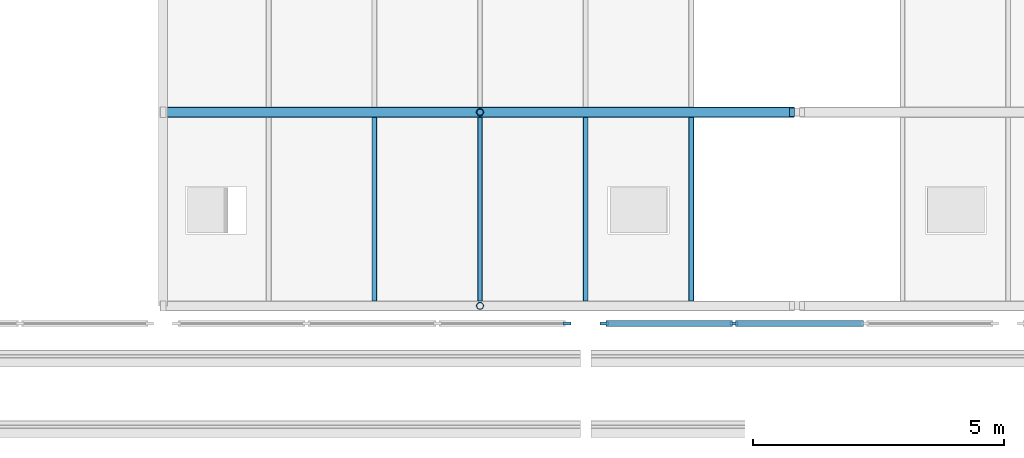
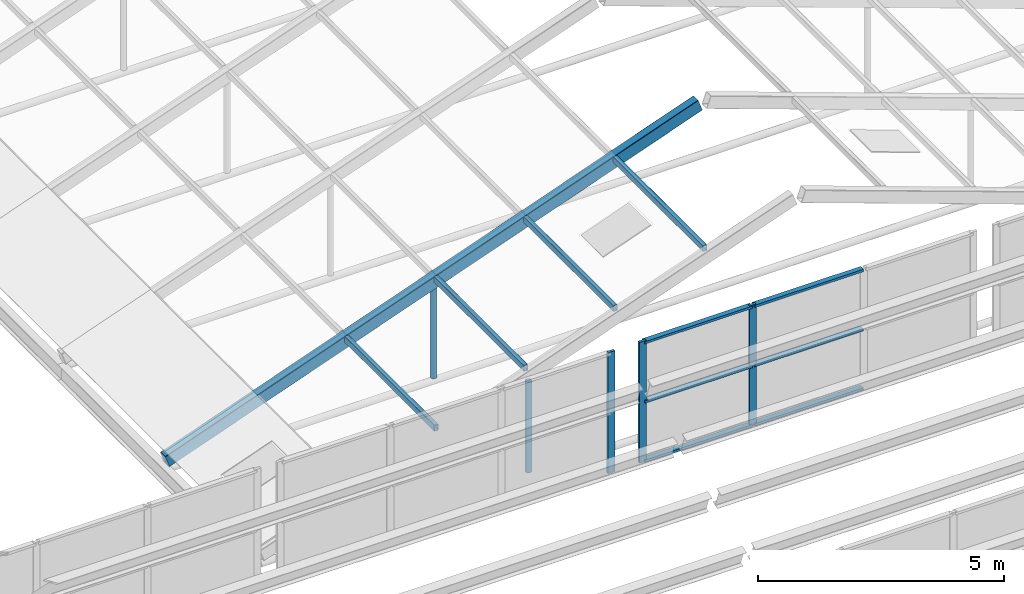
# One storey, part 26 of 116: 16 members, 2 elements without a shape of their own.
"""IFC4 building model written with IfcOpenShell, lengths in metres."""

from ifc_helpers import new_model, si_unit, direction, frame, origin, origin_2d, place, context, subcontext, project, spatial, rectangle, hollow_rectangle, hollow_circle, extrude, material, material_profile, profile_set, type_object, element, aggregate, save


model = new_model("IFC4")

# Units and contexts
model_context = context("Model", 3, precision=1e-05, world=origin(), true_north=direction((0.0, 1.0)))
body_context = subcontext(model_context, "Body", "Model", "MODEL_VIEW")
ifc_project = project(units=[si_unit("LENGTHUNIT", "METRE"), si_unit("AREAUNIT", "SQUARE_METRE"), si_unit("VOLUMEUNIT", "CUBIC_METRE"), si_unit("PLANEANGLEUNIT", "RADIAN"), si_unit("MASSUNIT", "GRAM", prefix="KILO")], contexts=[model_context])

# Site, building, storey
site_placement = place(None, origin())
site = spatial("IfcSite", under=ifc_project, at=site_placement, CompositionType="ELEMENT")
building_placement = place(site_placement, origin())
building = spatial("IfcBuilding", under=site, at=building_placement, Name="Fescue Hill Polytechnic", CompositionType="ELEMENT")
storey_placement = place(building_placement, frame((0.0, 0.0, 13.5)))
storey = spatial("IfcBuildingStorey", under=building, at=storey_placement, Name="L03", CompositionType="ELEMENT", Elevation=13.5)

# Curtain wall, member
ifc_material_1 = material(Name="Aluminium and glass", Category="aluminium")
curtain_wall_type = type_object("IfcCurtainWallType", Name="Sawtooth north glazing curtain wall", PredefinedType="NOTDEFINED", material=ifc_material_1)
curtain_wall_1_placement = place(storey_placement, origin())
curtain_wall_1 = element("IfcCurtainWall", 1, at=curtain_wall_1_placement, inside=storey, type_object=curtain_wall_type, Name="Sawtooth 4 north glazing bay 6 part 2", PredefinedType="NOTDEFINED")
ifc_material_2 = material(Name="Aluminium", Category="aluminium")
ifc_material_profile_1 = material_profile(ifc_material_2, rectangle(XDim=0.06005859375, YDim=0.159912109375, at=origin_2d()), Name="Curtain wall mullion 60x160")
ifc_profile_set_1 = profile_set([ifc_material_profile_1], Name="Aluminium")
member_type_1 = type_object("IfcMemberType", Name="Curtain wall mullion 60x160", PredefinedType="MULLION", material=ifc_profile_set_1)
member_1_placement = place(storey_placement, frame((100.429931640625, 50.39990234375, 0.0), z_axis=(0.0, 0.0, 1.0), x_axis=(0.0, 1.0, 0.0)))
member_1 = element("IfcMember", 2, at=member_1_placement, type_object=member_type_1, Name="CW33 mullion 4", PredefinedType="MULLION", context=body_context, shape_type="SweptSolid", body=[
    extrude(rectangle(XDim=0.06005859375, YDim=0.159912109375, at=origin_2d()), origin(), (0.0, 0.0, 1.0), 3.0),
])
aggregate(curtain_wall_1, [member_1])

# Curtain wall, members
curtain_wall_2_placement = place(storey_placement, origin())
curtain_wall_2 = element("IfcCurtainWall", 3, at=curtain_wall_2_placement, inside=storey, type_object=curtain_wall_type, Name="Sawtooth 4 north glazing bay 7 part 1", PredefinedType="NOTDEFINED")
member_2_placement = place(storey_placement, frame((101.169921875, 50.39990234375, 0.0), z_axis=(0.0, 0.0, 1.0), x_axis=(0.0, 1.0, 0.0)))
member_2 = element("IfcMember", 4, at=member_2_placement, type_object=member_type_1, Name="CW34 mullion 1", PredefinedType="MULLION", context=body_context, shape_type="SweptSolid", body=[
    extrude(rectangle(XDim=0.06005859375, YDim=0.159912109375, at=origin_2d()), origin(), (0.0, 0.0, 1.0), 3.0),
])
member_3_placement = place(storey_placement, frame((103.74658203125, 50.39990234375, 0.0), z_axis=(0.0, 0.0, 1.0), x_axis=(0.0, 1.0, 0.0)))
member_3 = element("IfcMember", 5, at=member_3_placement, type_object=member_type_1, Name="CW34 mullion 2", PredefinedType="MULLION", context=body_context, shape_type="SweptSolid", body=[
    extrude(rectangle(XDim=0.06005859375, YDim=0.159912109375, at=origin_2d()), origin(), (0.0, 0.0, 1.0), 3.0),
])
ifc_material_profile_2 = material_profile(ifc_material_2, rectangle(XDim=0.1201171875, YDim=0.06005859375, at=origin_2d()), Name="Curtain wall transom 60x120")
ifc_profile_set_2 = profile_set([ifc_material_profile_2], Name="Aluminium")
member_type_2 = type_object("IfcMemberType", Name="Curtain wall transom 60x120", PredefinedType="USERDEFINED", material=ifc_profile_set_2)
member_4_placement = place(storey_placement, frame((101.199951171875, 50.39990234375, 0.030029296875), z_axis=(1.0, 0.0, 0.0), x_axis=(0.0, 1.0, 0.0)))
member_4 = element("IfcMember", 6, at=member_4_placement, type_object=member_type_2, Name="CW34 transom 1.1", ObjectType="TRANSOM", PredefinedType="USERDEFINED", context=body_context, shape_type="SweptSolid", body=[
    extrude(rectangle(XDim=0.1201171875, YDim=0.06005859375, at=origin_2d()), origin(), (0.0, 0.0, 1.0), 2.5166015625),
])
member_5_placement = place(storey_placement, frame((101.199951171875, 50.39990234375, 1.5), z_axis=(1.0, 0.0, 0.0), x_axis=(0.0, 1.0, 0.0)))
member_5 = element("IfcMember", 7, at=member_5_placement, type_object=member_type_2, Name="CW34 transom 1.2", ObjectType="TRANSOM", PredefinedType="USERDEFINED", context=body_context, shape_type="SweptSolid", body=[
    extrude(rectangle(XDim=0.1201171875, YDim=0.06005859375, at=origin_2d()), origin(), (0.0, 0.0, 1.0), 2.5166015625),
])
member_6_placement = place(storey_placement, frame((101.199951171875, 50.39990234375, 2.969970703125), z_axis=(1.0, 0.0, 0.0), x_axis=(0.0, 1.0, 0.0)))
member_6 = element("IfcMember", 8, at=member_6_placement, type_object=member_type_2, Name="CW34 transom 1.3", ObjectType="TRANSOM", PredefinedType="USERDEFINED", context=body_context, shape_type="SweptSolid", body=[
    extrude(rectangle(XDim=0.1201171875, YDim=0.06005859375, at=origin_2d()), origin(), (0.0, 0.0, 1.0), 2.5166015625),
])
member_7_placement = place(storey_placement, frame((103.776611328125, 50.39990234375, 0.030029296875), z_axis=(1.0, 0.0, 0.0), x_axis=(0.0, 1.0, 0.0)))
member_7 = element("IfcMember", 9, at=member_7_placement, type_object=member_type_2, Name="CW34 transom 2.1", ObjectType="TRANSOM", PredefinedType="USERDEFINED", context=body_context, shape_type="SweptSolid", body=[
    extrude(rectangle(XDim=0.1201171875, YDim=0.06005859375, at=origin_2d()), origin(), (0.0, 0.0, 1.0), 2.546630859375),
])
member_8_placement = place(storey_placement, frame((103.776611328125, 50.39990234375, 1.5), z_axis=(1.0, 0.0, 0.0), x_axis=(0.0, 1.0, 0.0)))
member_8 = element("IfcMember", 10, at=member_8_placement, type_object=member_type_2, Name="CW34 transom 2.2", ObjectType="TRANSOM", PredefinedType="USERDEFINED", context=body_context, shape_type="SweptSolid", body=[
    extrude(rectangle(XDim=0.1201171875, YDim=0.06005859375, at=origin_2d()), origin(), (0.0, 0.0, 1.0), 2.546630859375),
])
member_9_placement = place(storey_placement, frame((103.776611328125, 50.39990234375, 2.969970703125), z_axis=(1.0, 0.0, 0.0), x_axis=(0.0, 1.0, 0.0)))
member_9 = element("IfcMember", 11, at=member_9_placement, type_object=member_type_2, Name="CW34 transom 2.3", ObjectType="TRANSOM", PredefinedType="USERDEFINED", context=body_context, shape_type="SweptSolid", body=[
    extrude(rectangle(XDim=0.1201171875, YDim=0.06005859375, at=origin_2d()), origin(), (0.0, 0.0, 1.0), 2.546630859375),
])
aggregate(curtain_wall_2, [member_2, member_3, member_4, member_5, member_6, member_7, member_8, member_9])

# Members
ifc_material_3 = material(Name="Steel 350W (350 MPa)", Category="steel")
ifc_material_profile_3 = material_profile(ifc_material_3, hollow_rectangle(XDim=0.1015625, YDim=0.15234375, WallThickness=0.00634765625, InnerFilletRadius=0.00634765625, OuterFilletRadius=0.0126953125, at=origin_2d()), Name="Winter garden glazing purlin HSS 152x102x6.4")
ifc_profile_set_3 = profile_set([ifc_material_profile_3], Name="Steel 350W (350 MPa)")
member_type_3 = type_object("IfcMemberType", Name="Winter garden glazing purlin HSS 152x102x6.4", PredefinedType="PURLIN", material=ifc_profile_set_3)
for number, where, z_axis, x_axis, name in (
    (12, (96.599853515625, 50.8515625, 2.164306640625), (0.0, 1.0, 0.0), (-1.0, 0.0, 0.0), "Winter garden glazing purlin W2 bay 1"),
    (13, (98.69970703125, 50.8515625, 2.914306640625), (0.0, 1.0, 0.0), (-1.0, 0.0, 0.0), "Winter garden glazing purlin W3 bay 1"),
    (14, (100.799560546875, 50.8515625, 3.664306640625), (0.0, 1.0, 0.0), (-1.0, 0.0, 0.0), "Winter garden glazing purlin W4 bay 1"),
    (15, (102.899658203125, 50.8515625, 4.414306640625), (0.0, 1.0, 0.0), (-1.0, 0.0, 0.0), "Winter garden glazing purlin W5 bay 1"),
):
    element("IfcMember", number, at=place(storey_placement, frame(where, z_axis=z_axis, x_axis=x_axis)), inside=storey, type_object=member_type_3, Name=name, PredefinedType="PURLIN", context=body_context, shape_type="SweptSolid", body=[
        extrude(hollow_rectangle(XDim=0.1015625, YDim=0.15234375, WallThickness=0.00634765625, InnerFilletRadius=0.00634765625, OuterFilletRadius=0.0126953125, at=origin_2d()), origin(), (0.0, 0.0, 1.0), 3.646728515625),
    ])
ifc_material_profile_4 = material_profile(ifc_material_3, hollow_circle(Radius=0.070556640625, WallThickness=0.00634765625, at=origin_2d()), Name="Winter garden queen post CHS 141x6.4")
ifc_profile_set_4 = profile_set([ifc_material_profile_4], Name="Steel 350W (350 MPa)")
member_type_4 = type_object("IfcMemberType", Name="Winter garden queen post CHS 141x6.4", PredefinedType="POST", material=ifc_profile_set_4)
for number, where, z_axis, x_axis, name in (
    (16, (98.699951171875, 50.75, 0.4169921875), (0.0, 0.0, 1.0), (1.0, 0.0, 0.0), "Winter garden queen post 1A"),
    (17, (98.699951171875, 54.60009765625, 0.4169921875), (0.0, 0.0, 1.0), (1.0, 0.0, 0.0), "Winter garden queen post 2A"),
):
    element("IfcMember", number, at=place(storey_placement, frame(where, z_axis=z_axis, x_axis=x_axis)), inside=storey, type_object=member_type_4, Name=name, PredefinedType="POST", context=body_context, shape_type="SweptSolid", body=[
        extrude(hollow_circle(Radius=0.070556640625, WallThickness=0.00634765625, at=origin_2d()), origin(), (0.0, 0.0, 1.0), 2.25),
    ])
ifc_material_profile_5 = material_profile(ifc_material_3, hollow_rectangle(XDim=0.203125, YDim=0.3046875, WallThickness=0.009521484375, InnerFilletRadius=0.009521484375, OuterFilletRadius=0.01904296875, at=origin_2d()), Name="Winter garden rafter HSS 305x203x9.5")
ifc_profile_set_5 = profile_set([ifc_material_profile_5], Name="Steel 350W (350 MPa)")
member_type_5 = type_object("IfcMemberType", Name="Winter garden rafter HSS 305x203x9.5", PredefinedType="RAFTER", material=ifc_profile_set_5)
member_10_placement = place(storey_placement, frame((92.39990234375, 54.60009765625, 0.578857421875), z_axis=(0.941740247025, 0.0, 0.336341057756), x_axis=(0.0, 1.0, 0.0)))
element("IfcMember", 18, at=member_10_placement, inside=storey, type_object=member_type_5, Name="Winter garden rafter W2", PredefinedType="RAFTER", context=body_context, shape_type="SweptSolid", body=[
    extrude(hollow_rectangle(XDim=0.203125, YDim=0.3046875, WallThickness=0.009521484375, InnerFilletRadius=0.009521484375, OuterFilletRadius=0.01904296875, at=origin_2d()), origin(), (0.0, 0.0, 1.0), 13.273193359375),
])

save(model, "model.ifc")
